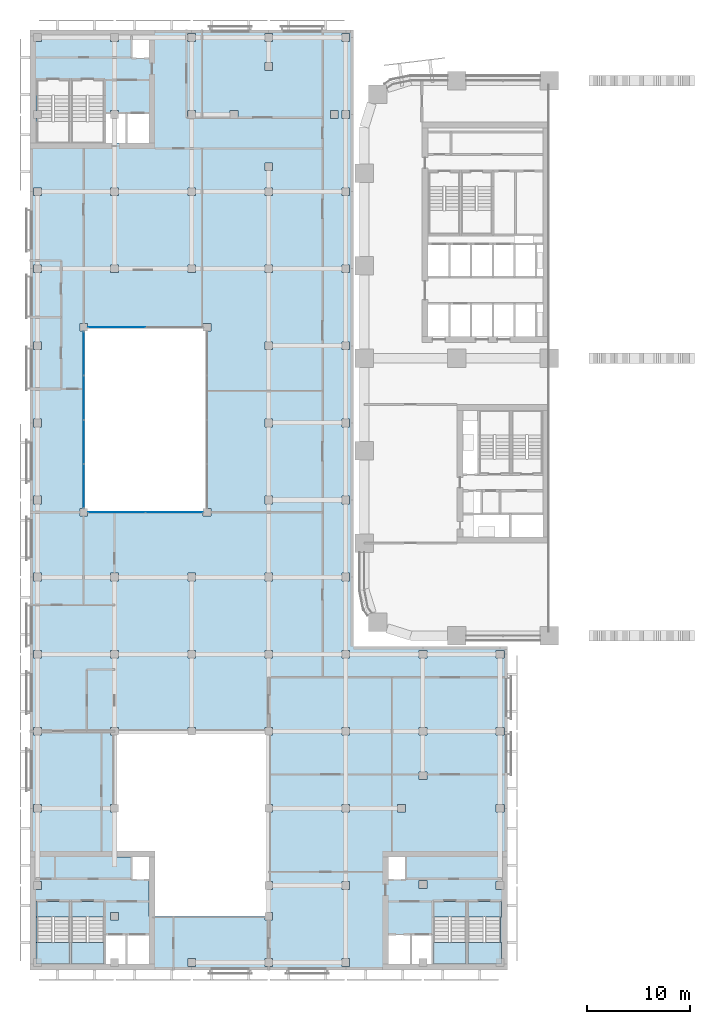
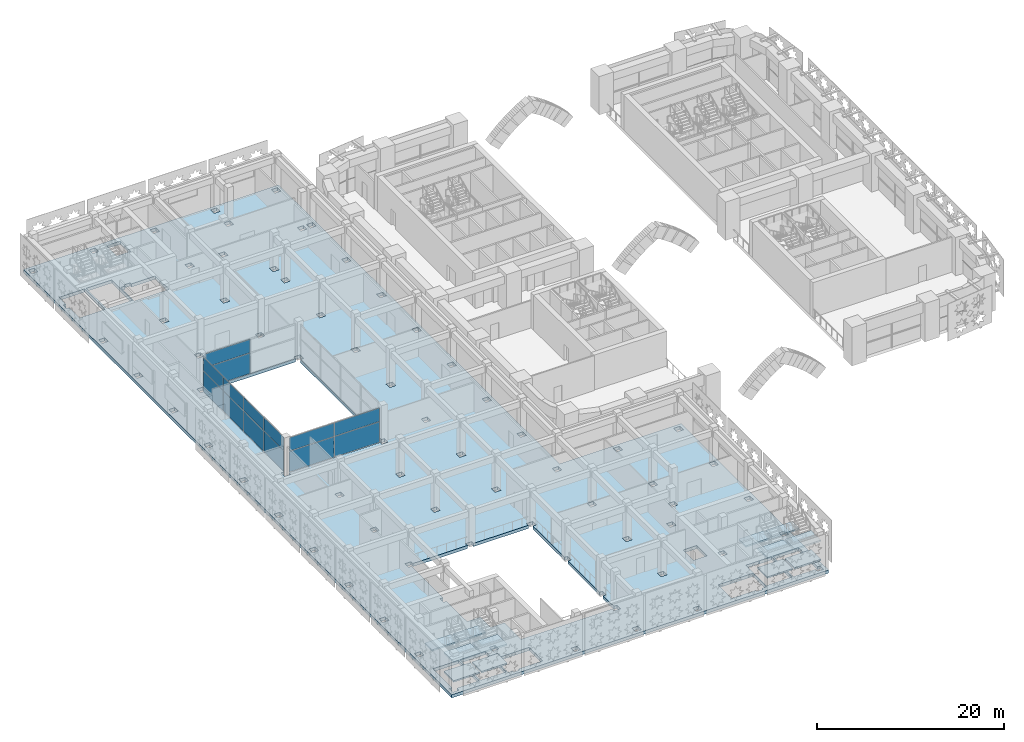
# One storey, part 10 of 40: 14 plates, 13 slabs, 7 elements without a shape of their own.
"""IFC4 building model written with IfcOpenShell, lengths in metres."""

import ifcopenshell
import ifcopenshell.guid

model = None  # the IFC model being written
_history = None  # IfcOwnerHistory: only IFC2X3 demands one
_inside = {}  # id of a spatial element -> (the spatial element, [elements in it])
_under = {}  # id of a project, library or spatial element -> (it, [spatial elements below it])
_declared = {}  # id of a project -> (the project, [libraries it declares])
_typed = {}  # id of a type object -> (the type object, [elements of that type])
_made_of = {}  # id of a material, layer set ... -> (it, [elements and type objects made of it])


def new_model(schema):
    """Start an empty IFC model of exactly this schema.

    Asked for "IFC4X3", IfcOpenShell would pick the latest addendum, in which some entities
    have other attributes; the version numbers below select the first issue.
    IFC2X3 requires an IfcOwnerHistory on every rooted entity: one is made here for all.
    """
    global model, _history
    if schema == "IFC4X3":
        model = ifcopenshell.file(schema_version=(4, 3, 0, 0))
    else:
        model = ifcopenshell.file(schema=schema)
    _inside.clear()
    _under.clear()
    _declared.clear()
    _typed.clear()
    _made_of.clear()
    _history = None
    if model.schema == "IFC2X3":
        org = make("IfcOrganization", Name="unknown")
        user = make(
            "IfcPersonAndOrganization",
            ThePerson=make("IfcPerson", FamilyName="unknown"),
            TheOrganization=org,
        )
        app = make(
            "IfcApplication",
            ApplicationDeveloper=org,
            Version="unknown",
            ApplicationFullName="unknown",
            ApplicationIdentifier="unknown",
        )
        _history = make(
            "IfcOwnerHistory",
            OwningUser=user,
            OwningApplication=app,
            ChangeAction="ADDED",
            CreationDate=0,
        )
    return model


def make(cls, **values):
    """One entity of the class cls with the attributes given. An attribute that is None is left unset."""
    return model.create_entity(
        cls, **{name: value for name, value in values.items() if value is not None}
    )


def rooted(cls, **values):
    """An entity with a GlobalId (a new one), such as an element, a storey or a relation."""
    return make(cls, GlobalId=ifcopenshell.guid.new(), OwnerHistory=_history, **values)


def si_unit(unit_type, name, prefix=None):
    """IfcSIUnit, for example si_unit("LENGTHUNIT", "METRE", prefix="MILLI")."""
    return make("IfcSIUnit", UnitType=unit_type, Prefix=prefix, Name=name)


def assignment(units):
    """IfcUnitAssignment: the units of a project."""
    return None if units is None else make("IfcUnitAssignment", Units=units)


def point(xyz):
    """IfcCartesianPoint."""
    return None if xyz is None else make("IfcCartesianPoint", Coordinates=xyz)


def direction(xyz):
    """IfcDirection."""
    return None if xyz is None else make("IfcDirection", DirectionRatios=xyz)


def frame(location, z_axis=None, x_axis=None):
    """IfcAxis2Placement3D, a coordinate frame: its origin and axes. An axis left out is left unset."""
    return make(
        "IfcAxis2Placement3D",
        Location=point(location),
        Axis=direction(z_axis),
        RefDirection=direction(x_axis),
    )


def frame_2d(location, x_axis=None):
    """IfcAxis2Placement2D, a coordinate frame in the plane: its origin and x axis."""
    return make(
        "IfcAxis2Placement2D", Location=point(location), RefDirection=direction(x_axis)
    )


def origin():
    """The frame at (0, 0, 0) with its axes left unset."""
    return frame((0.0, 0.0, 0.0))


def origin_2d():
    """The frame at (0, 0) in the plane with its x axis left unset."""
    return frame_2d((0.0, 0.0))


def place(relative_to, where):
    """IfcLocalPlacement: puts the frame where relative to a parent placement (None: the world)."""
    return make(
        "IfcLocalPlacement", PlacementRelTo=relative_to, RelativePlacement=where
    )


def context(
    kind, dimensions, precision=None, world=None, true_north=None, identifier=None
):
    """IfcGeometricRepresentationContext, for example the 3D "Model" context."""
    return make(
        "IfcGeometricRepresentationContext",
        ContextIdentifier=identifier,
        ContextType=kind,
        CoordinateSpaceDimension=dimensions,
        Precision=precision,
        WorldCoordinateSystem=world,
        TrueNorth=true_north,
    )


def subcontext(parent, identifier, kind, view, scale=None):
    """IfcGeometricRepresentationSubContext, for example "Body" below "Model"."""
    return make(
        "IfcGeometricRepresentationSubContext",
        ContextIdentifier=identifier,
        ContextType=kind,
        ParentContext=parent,
        TargetScale=scale,
        TargetView=view,
    )


def project(units=None, contexts=None):
    """IfcProject with its units and contexts."""
    return rooted(
        "IfcProject",
        Name="project",
        RepresentationContexts=contexts,
        UnitsInContext=assignment(units),
    )


def spatial(cls, under=None, at=None, **own):
    """A site, building, storey or space (cls), placed at a placement, below another one or the project."""
    s = rooted(cls, ObjectPlacement=at, **own)
    if under is not None:
        _under.setdefault(under.id(), (under, []))[1].append(s)
    return s


def polyline(points):
    """IfcPolyline through the points."""
    return make("IfcPolyline", Points=[point(p) for p in points])


def profile(cls, at=None, kind="AREA", **sizes):
    """A parametric profile (cls). Its sizes go by their IFC names, for example OverallWidth=200.0."""
    return make(cls, ProfileType=kind, Position=at, **sizes)


def rectangle(**sizes):
    """IfcRectangleProfileDef."""
    return profile("IfcRectangleProfileDef", **sizes)


def outline(outer, holes=None, kind="AREA"):
    """IfcArbitraryClosedProfileDef: a profile drawn as a closed curve; with holes, ...WithVoids."""
    if holes is None:
        return make("IfcArbitraryClosedProfileDef", ProfileType=kind, OuterCurve=outer)
    return make(
        "IfcArbitraryProfileDefWithVoids",
        ProfileType=kind,
        OuterCurve=outer,
        InnerCurves=holes,
    )


def extrude(swept, where, along, depth):
    """IfcExtrudedAreaSolid: the profile swept, set in the frame where, extruded along a direction by depth."""
    return make(
        "IfcExtrudedAreaSolid",
        SweptArea=swept,
        Position=where,
        ExtrudedDirection=direction(along),
        Depth=depth,
    )


def shape(context_of_items, identifier, shape_type, items):
    """IfcShapeRepresentation: the items that make up one representation, for example the "Body"."""
    return make(
        "IfcShapeRepresentation",
        ContextOfItems=context_of_items,
        RepresentationIdentifier=identifier,
        RepresentationType=shape_type,
        Items=items,
    )


def material(Name=None, Category=None):
    """IfcMaterial."""
    return make("IfcMaterial", Name=Name, Category=Category)


def layer(
    of_material, thickness, ventilated=None, Name=None, Category=None, Priority=None
):
    """IfcMaterialLayer: one layer of a wall or slab, of a material (None: an air gap)."""
    return make(
        "IfcMaterialLayer",
        Material=of_material,
        LayerThickness=thickness,
        IsVentilated=ventilated,
        Name=Name,
        Category=Category,
        Priority=Priority,
    )


def layer_set(layers, Name=None):
    """IfcMaterialLayerSet."""
    return make("IfcMaterialLayerSet", MaterialLayers=layers, LayerSetName=Name)


def made_of(thing, what):
    """Note that an element or type object is made of a material, layer set ...; save() writes the relation."""
    if what is not None:
        _made_of.setdefault(what.id(), (what, []))[1].append(thing)
    return thing


def type_object(cls, material=None, **own):
    """A type object (cls), such as IfcWallType, which elements share."""
    return made_of(rooted(cls, **own), material)


def element(
    cls,
    number,
    at=None,
    inside=None,
    cuts=None,
    type_object=None,
    material=None,
    context=None,
    identifier="Body",
    shape_type=None,
    held_by="IfcProductDefinitionShape",
    body=None,
    shapes=None,
    **own,
):
    """One element of the class cls, such as IfcWall. Its Tag is "e" and its number.

    at: its placement. inside: the storey or other place that contains it. cuts: it is an
    opening in that element (IfcRelVoidsElement). A single representation is given by context,
    identifier, shape_type and body (its items); several are given by shapes. held_by: the class
    of the entity that holds the representations. save() writes the other relations.
    """
    e = rooted(cls, Tag="e%d" % number, ObjectPlacement=at, **own)
    if body is not None:
        shapes = [shape(context, identifier, shape_type, body)]
    if shapes is not None:
        e.Representation = make(held_by, Representations=shapes)
    if inside is not None:
        _inside.setdefault(inside.id(), (inside, []))[1].append(e)
    if cuts is not None:
        rooted(
            "IfcRelVoidsElement", RelatingBuildingElement=cuts, RelatedOpeningElement=e
        )
    if type_object is not None:
        _typed.setdefault(type_object.id(), (type_object, []))[1].append(e)
    return made_of(e, material)


def aggregate(whole, parts):
    """IfcRelAggregates: a whole, such as a stair, and the parts it consists of."""
    return rooted("IfcRelAggregates", RelatingObject=whole, RelatedObjects=parts)


def save(model, path):
    """Write the relations noted so far, then the file.

    IfcRelAggregates (storeys below a building ...), IfcRelContainedInSpatialStructure (elements
    in a storey), IfcRelDefinesByType, IfcRelAssociatesMaterial and IfcRelDeclares: one each for
    every whole, place, type object, material and project.
    """
    for whole, parts in _under.values():
        aggregate(whole, parts)
    for where, things in _inside.values():
        rooted(
            "IfcRelContainedInSpatialStructure",
            RelatedElements=things,
            RelatingStructure=where,
        )
    for kind, things in _typed.values():
        rooted("IfcRelDefinesByType", RelatedObjects=things, RelatingType=kind)
    for what, things in _made_of.values():
        rooted("IfcRelAssociatesMaterial", RelatedObjects=things, RelatingMaterial=what)
    for by, libraries in _declared.values():
        rooted("IfcRelDeclares", RelatingContext=by, RelatedDefinitions=libraries)
    model.write(path)


model = new_model("IFC4")

# Units and contexts
model_context = context("Model", 3, precision=1e-05, world=origin(), true_north=direction((0.0, 1.0)))
body_context = subcontext(model_context, "Body", "Model", "MODEL_VIEW")
ifc_project = project(units=[si_unit("LENGTHUNIT", "METRE"), si_unit("AREAUNIT", "SQUARE_METRE"), si_unit("VOLUMEUNIT", "CUBIC_METRE"), si_unit("PLANEANGLEUNIT", "RADIAN"), si_unit("MASSUNIT", "GRAM", prefix="KILO")], contexts=[model_context])

# Site, building, storey
site_placement = place(None, origin())
site = spatial("IfcSite", under=ifc_project, at=site_placement, CompositionType="ELEMENT")
building_placement = place(site_placement, origin())
building = spatial("IfcBuilding", under=site, at=building_placement, Name="Tessera Arch", CompositionType="ELEMENT")
storey_placement = place(building_placement, frame((0.0, 0.0, 21.0)))
storey = spatial("IfcBuildingStorey", under=building, at=storey_placement, Name="L03", CompositionType="ELEMENT", Elevation=21.0)

# Curtain wall, plates
ifc_material_1 = material(Name="Aluminium and clear glass", Category="aluminium")
ifc_layer_1 = layer(ifc_material_1, 0.1201171875)
ifc_layer_set_1 = layer_set([ifc_layer_1], Name="Courtyard curtain wall")
curtain_wall_type = type_object("IfcCurtainWallType", Name="Courtyard curtain wall", PredefinedType="NOTDEFINED", material=ifc_layer_set_1)
curtain_wall_1_placement = place(storey_placement, origin())
curtain_wall_1 = element("IfcCurtainWall", 1, at=curtain_wall_1_placement, inside=storey, type_object=curtain_wall_type, Name="Courtyard curtain wall L03 1", PredefinedType="NOTDEFINED")
ifc_material_2 = material(Name="Clear low-e laminated glass", Category="glass")
ifc_layer_2 = layer(ifc_material_2, 0.028076171875)
ifc_layer_set_2 = layer_set([ifc_layer_2], Name="Courtyard glass panel")
plate_type = type_object("IfcPlateType", Name="Courtyard glass panel", PredefinedType="CURTAIN_PANEL", material=ifc_layer_set_2)
plate_1_placement = place(storey_placement, frame((-24.097412109375, 12.0, 0.06005859375), z_axis=(0.0, 0.0, 1.0), x_axis=(1.0, 0.0, 0.0)))
plate_1 = element("IfcPlate", 2, at=plate_1_placement, type_object=plate_type, Name="MCW1 panel 1.1", PredefinedType="CURTAIN_PANEL", context=body_context, shape_type="SweptSolid", body=[
    extrude(rectangle(XDim=5.534912109375, YDim=0.028076171875, at=origin_2d()), origin(), (0.0, 0.0, 1.0), 2.6640625),
])
plate_2_placement = place(storey_placement, frame((-24.097412109375, 12.0, 2.783935546875), z_axis=(0.0, 0.0, 1.0), x_axis=(1.0, 0.0, 0.0)))
plate_2 = element("IfcPlate", 3, at=plate_2_placement, type_object=plate_type, Name="MCW1 panel 1.2", PredefinedType="CURTAIN_PANEL", context=body_context, shape_type="SweptSolid", body=[
    extrude(rectangle(XDim=5.534912109375, YDim=0.028076171875, at=origin_2d()), origin(), (0.0, 0.0, 1.0), 1.74609375),
])
plate_3_placement = place(storey_placement, frame((-18.50244140625, 12.0, 0.06005859375), z_axis=(0.0, 0.0, 1.0), x_axis=(1.0, 0.0, 0.0)))
plate_3 = element("IfcPlate", 4, at=plate_3_placement, type_object=plate_type, Name="MCW1 panel 2.1", PredefinedType="CURTAIN_PANEL", context=body_context, shape_type="SweptSolid", body=[
    extrude(rectangle(XDim=5.534912109375, YDim=0.028076171875, at=origin_2d()), origin(), (0.0, 0.0, 1.0), 2.6640625),
])
plate_4_placement = place(storey_placement, frame((-18.50244140625, 12.0, 2.783935546875), z_axis=(0.0, 0.0, 1.0), x_axis=(1.0, 0.0, 0.0)))
plate_4 = element("IfcPlate", 5, at=plate_4_placement, type_object=plate_type, Name="MCW1 panel 2.2", PredefinedType="CURTAIN_PANEL", context=body_context, shape_type="SweptSolid", body=[
    extrude(rectangle(XDim=5.534912109375, YDim=0.028076171875, at=origin_2d()), origin(), (0.0, 0.0, 1.0), 1.74609375),
])
aggregate(curtain_wall_1, [plate_1, plate_2, plate_3, plate_4])

curtain_wall_2_placement = place(storey_placement, origin())
curtain_wall_2 = element("IfcCurtainWall", 6, at=curtain_wall_2_placement, inside=storey, type_object=curtain_wall_type, Name="Courtyard curtain wall L03 3", PredefinedType="NOTDEFINED")
plate_5_placement = place(storey_placement, frame((-24.097412109375, 30.0, 0.06005859375), z_axis=(0.0, 0.0, 1.0), x_axis=(-1.0, 0.0, 0.0)))
plate_5 = element("IfcPlate", 7, at=plate_5_placement, type_object=plate_type, Name="MCW1 panel 2.1", PredefinedType="CURTAIN_PANEL", context=body_context, shape_type="SweptSolid", body=[
    extrude(rectangle(XDim=5.534912109375, YDim=0.028076171875, at=origin_2d()), origin(), (0.0, 0.0, 1.0), 2.6640625),
])
plate_6_placement = place(storey_placement, frame((-24.097412109375, 30.0, 2.783935546875), z_axis=(0.0, 0.0, 1.0), x_axis=(-1.0, 0.0, 0.0)))
plate_6 = element("IfcPlate", 8, at=plate_6_placement, type_object=plate_type, Name="MCW1 panel 2.2", PredefinedType="CURTAIN_PANEL", context=body_context, shape_type="SweptSolid", body=[
    extrude(rectangle(XDim=5.534912109375, YDim=0.028076171875, at=origin_2d()), origin(), (0.0, 0.0, 1.0), 1.74609375),
])
aggregate(curtain_wall_2, [plate_5, plate_6])

curtain_wall_3_placement = place(storey_placement, origin())
curtain_wall_3 = element("IfcCurtainWall", 9, at=curtain_wall_3_placement, inside=storey, type_object=curtain_wall_type, Name="Courtyard curtain wall L03 4", PredefinedType="NOTDEFINED")
plate_7_placement = place(storey_placement, frame((-27.300048828125, 27.453857421875, 0.06005859375), z_axis=(0.0, 0.0, 1.0), x_axis=(0.0, -1.0, 0.0)))
plate_7 = element("IfcPlate", 10, at=plate_7_placement, type_object=plate_type, Name="MCW1 panel 1.1", PredefinedType="CURTAIN_PANEL", context=body_context, shape_type="SweptSolid", body=[
    extrude(rectangle(XDim=4.222412109375, YDim=0.028076171875, at=origin_2d()), origin(), (0.0, 0.0, 1.0), 2.6640625),
])
plate_8_placement = place(storey_placement, frame((-27.300048828125, 27.453857421875, 2.783935546875), z_axis=(0.0, 0.0, 1.0), x_axis=(0.0, -1.0, 0.0)))
plate_8 = element("IfcPlate", 11, at=plate_8_placement, type_object=plate_type, Name="MCW1 panel 1.2", PredefinedType="CURTAIN_PANEL", context=body_context, shape_type="SweptSolid", body=[
    extrude(rectangle(XDim=4.222412109375, YDim=0.028076171875, at=origin_2d()), origin(), (0.0, 0.0, 1.0), 1.74609375),
])
plate_9_placement = place(storey_placement, frame((-27.300048828125, 23.15625, 0.06005859375), z_axis=(0.0, 0.0, 1.0), x_axis=(0.0, -1.0, 0.0)))
plate_9 = element("IfcPlate", 12, at=plate_9_placement, type_object=plate_type, Name="MCW1 panel 2.1", PredefinedType="CURTAIN_PANEL", context=body_context, shape_type="SweptSolid", body=[
    extrude(rectangle(XDim=4.25244140625, YDim=0.028076171875, at=origin_2d()), origin(), (0.0, 0.0, 1.0), 2.6640625),
])
plate_10_placement = place(storey_placement, frame((-27.300048828125, 23.15625, 2.783935546875), z_axis=(0.0, 0.0, 1.0), x_axis=(0.0, -1.0, 0.0)))
plate_10 = element("IfcPlate", 13, at=plate_10_placement, type_object=plate_type, Name="MCW1 panel 2.2", PredefinedType="CURTAIN_PANEL", context=body_context, shape_type="SweptSolid", body=[
    extrude(rectangle(XDim=4.25244140625, YDim=0.028076171875, at=origin_2d()), origin(), (0.0, 0.0, 1.0), 1.74609375),
])
plate_11_placement = place(storey_placement, frame((-27.300048828125, 18.84375, 0.06005859375), z_axis=(0.0, 0.0, 1.0), x_axis=(0.0, -1.0, 0.0)))
plate_11 = element("IfcPlate", 14, at=plate_11_placement, type_object=plate_type, Name="MCW1 panel 3.1", PredefinedType="CURTAIN_PANEL", context=body_context, shape_type="SweptSolid", body=[
    extrude(rectangle(XDim=4.25244140625, YDim=0.028076171875, at=origin_2d()), origin(), (0.0, 0.0, 1.0), 2.6640625),
])
plate_12_placement = place(storey_placement, frame((-27.300048828125, 18.84375, 2.783935546875), z_axis=(0.0, 0.0, 1.0), x_axis=(0.0, -1.0, 0.0)))
plate_12 = element("IfcPlate", 15, at=plate_12_placement, type_object=plate_type, Name="MCW1 panel 3.2", PredefinedType="CURTAIN_PANEL", context=body_context, shape_type="SweptSolid", body=[
    extrude(rectangle(XDim=4.25244140625, YDim=0.028076171875, at=origin_2d()), origin(), (0.0, 0.0, 1.0), 1.74609375),
])
plate_13_placement = place(storey_placement, frame((-27.300048828125, 14.546142578125, 0.06005859375), z_axis=(0.0, 0.0, 1.0), x_axis=(0.0, -1.0, 0.0)))
plate_13 = element("IfcPlate", 16, at=plate_13_placement, type_object=plate_type, Name="MCW1 panel 4.1", PredefinedType="CURTAIN_PANEL", context=body_context, shape_type="SweptSolid", body=[
    extrude(rectangle(XDim=4.222412109375, YDim=0.028076171875, at=origin_2d()), origin(), (0.0, 0.0, 1.0), 2.6640625),
])
plate_14_placement = place(storey_placement, frame((-27.300048828125, 14.546142578125, 2.783935546875), z_axis=(0.0, 0.0, 1.0), x_axis=(0.0, -1.0, 0.0)))
plate_14 = element("IfcPlate", 17, at=plate_14_placement, type_object=plate_type, Name="MCW1 panel 4.2", PredefinedType="CURTAIN_PANEL", context=body_context, shape_type="SweptSolid", body=[
    extrude(rectangle(XDim=4.222412109375, YDim=0.028076171875, at=origin_2d()), origin(), (0.0, 0.0, 1.0), 1.74609375),
])
aggregate(curtain_wall_3, [plate_7, plate_8, plate_9, plate_10, plate_11, plate_12, plate_13, plate_14])

# Slab
ifc_material_3 = material(Name="Concrete C40/50", Category="concrete")
ifc_layer_3 = layer(ifc_material_3, 0.409912109375)
ifc_layer_set_3 = layer_set([ifc_layer_3], Name="Museum floor slab 410 Concrete C40/50")
slab_type_1 = type_object("IfcSlabType", Name="Museum floor slab 410 Concrete C40/50", PredefinedType="FLOOR", material=ifc_layer_set_3)
slab_1_placement = place(storey_placement, frame((0.0, 0.0, -0.409912109375)))
element("IfcSlab", 18, at=slab_1_placement, inside=storey, type_object=slab_type_1, Name="Museum floor slab L03 1", PredefinedType="FLOOR", context=body_context, shape_type="SweptSolid", body=[
    extrude(outline(polyline([(13.949951171875, -32.550048828125), (-32.550048828125, -32.550048828125), (-32.550048828125, 58.949951171875), (-1.050048828125, 58.949951171875), (-1.050048828125, -1.050048828125), (13.949951171875, -1.050048828125), (13.949951171875, -32.550048828125)]), holes=[polyline([(-15.675048828125, 11.625), (-14.925048828125, 11.625), (-14.925048828125, 12.375), (-15.300048828125, 12.375), (-15.300048828125, 29.625), (-14.925048828125, 29.625), (-14.925048828125, 30.375), (-15.675048828125, 30.375), (-15.675048828125, 30.0), (-26.925048828125, 30.0), (-26.925048828125, 30.375), (-27.675048828125, 30.375), (-27.675048828125, 29.625), (-27.300048828125, 29.625), (-27.300048828125, 12.375), (-27.675048828125, 12.375), (-27.675048828125, 11.625), (-26.925048828125, 11.625), (-26.925048828125, 12.0), (-15.675048828125, 12.0), (-15.675048828125, 11.625)]), polyline([(-24.675048828125, -16.425048828125), (-24.675048828125, -17.175048828125), (-24.300048828125, -17.175048828125), (-24.300048828125, -21.550048828125), (-22.64990234375, -21.550048828125), (-22.64990234375, -23.75), (-20.949951171875, -23.75), (-20.949951171875, -27.300048828125), (-9.675048828125, -27.300048828125), (-9.675048828125, -27.675048828125), (-8.925048828125, -27.675048828125), (-8.925048828125, -26.925048828125), (-9.300048828125, -26.925048828125), (-9.300048828125, -24.675048828125), (-8.925048828125, -24.675048828125), (-8.925048828125, -23.925048828125), (-9.300048828125, -23.925048828125), (-9.300048828125, -17.175048828125), (-8.925048828125, -17.175048828125), (-8.925048828125, -16.425048828125), (-9.300048828125, -16.425048828125), (-9.300048828125, -9.675048828125), (-8.925048828125, -9.675048828125), (-8.925048828125, -8.925048828125), (-9.675048828125, -8.925048828125), (-9.675048828125, -9.300048828125), (-16.425048828125, -9.300048828125), (-16.425048828125, -8.925048828125), (-17.175048828125, -8.925048828125), (-17.175048828125, -9.300048828125), (-23.925048828125, -9.300048828125), (-23.925048828125, -8.925048828125), (-24.675048828125, -8.925048828125), (-24.675048828125, -9.675048828125), (-24.300048828125, -9.675048828125), (-24.300048828125, -16.425048828125), (-24.675048828125, -16.425048828125)]), polyline([(-31.425048828125, -32.175048828125), (-31.425048828125, -31.75), (-28.699951171875, -31.75), (-28.699951171875, -27.360107421875), (-30.199951171875, -27.360107421875), (-30.199951171875, -27.35009765625), (-30.35009765625, -27.35009765625), (-30.35009765625, -27.360107421875), (-31.85009765625, -27.360107421875), (-31.85009765625, -31.425048828125), (-32.175048828125, -31.425048828125), (-32.175048828125, -32.175048828125), (-31.425048828125, -32.175048828125)]), polyline([(-16.425048828125, -32.175048828125), (-16.425048828125, -31.425048828125), (-17.175048828125, -31.425048828125), (-17.175048828125, -32.175048828125), (-16.425048828125, -32.175048828125)]), polyline([(-23.925048828125, -32.175048828125), (-23.925048828125, -31.949951171875), (-23.14990234375, -31.949951171875), (-20.949951171875, -31.949951171875), (-20.949951171875, -29.050048828125), (-23.14990234375, -29.050048828125), (-25.25, -29.050048828125), (-25.25, -31.949951171875), (-24.675048828125, -31.949951171875), (-24.675048828125, -32.175048828125), (-23.925048828125, -32.175048828125)]), polyline([(-23.925048828125, -27.675048828125), (-23.925048828125, -26.925048828125), (-24.675048828125, -26.925048828125), (-24.675048828125, -27.675048828125), (-23.925048828125, -27.675048828125)]), polyline([(-31.425048828125, -24.675048828125), (-31.425048828125, -23.925048828125), (-32.175048828125, -23.925048828125), (-32.175048828125, -24.675048828125), (-31.425048828125, -24.675048828125)]), polyline([(-31.425048828125, -17.175048828125), (-31.425048828125, -16.425048828125), (-32.175048828125, -16.425048828125), (-32.175048828125, -17.175048828125), (-31.425048828125, -17.175048828125)]), polyline([(-32.175048828125, -9.675048828125), (-31.425048828125, -9.675048828125), (-31.425048828125, -8.925048828125), (-32.175048828125, -8.925048828125), (-32.175048828125, -9.675048828125)]), polyline([(-23.925048828125, -2.175048828125), (-23.925048828125, -1.425048828125), (-24.675048828125, -1.425048828125), (-24.675048828125, -2.175048828125), (-23.925048828125, -2.175048828125)]), polyline([(-31.425048828125, -2.175048828125), (-31.425048828125, -1.425048828125), (-32.175048828125, -1.425048828125), (-32.175048828125, -2.175048828125), (-31.425048828125, -2.175048828125)]), polyline([(-31.425048828125, 5.324951171875), (-31.425048828125, 6.074951171875), (-32.175048828125, 6.074951171875), (-32.175048828125, 5.324951171875), (-31.425048828125, 5.324951171875)]), polyline([(-24.675048828125, 5.324951171875), (-23.925048828125, 5.324951171875), (-23.925048828125, 6.074951171875), (-24.675048828125, 6.074951171875), (-24.675048828125, 5.324951171875)]), polyline([(-31.425048828125, 12.824951171875), (-31.425048828125, 13.574951171875), (-32.175048828125, 13.574951171875), (-32.175048828125, 12.824951171875), (-31.425048828125, 12.824951171875)]), polyline([(-31.425048828125, 20.324951171875), (-31.425048828125, 21.074951171875), (-32.175048828125, 21.074951171875), (-32.175048828125, 20.324951171875), (-31.425048828125, 20.324951171875)]), polyline([(-31.425048828125, 27.824951171875), (-31.425048828125, 28.574951171875), (-32.175048828125, 28.574951171875), (-32.175048828125, 27.824951171875), (-31.425048828125, 27.824951171875)]), polyline([(-24.675048828125, 35.324951171875), (-23.925048828125, 35.324951171875), (-23.925048828125, 36.074951171875), (-24.675048828125, 36.074951171875), (-24.675048828125, 35.324951171875)]), polyline([(-31.425048828125, 35.324951171875), (-31.425048828125, 36.074951171875), (-32.175048828125, 36.074951171875), (-32.175048828125, 35.324951171875), (-31.425048828125, 35.324951171875)]), polyline([(-23.925048828125, 42.824951171875), (-23.925048828125, 43.574951171875), (-24.675048828125, 43.574951171875), (-24.675048828125, 42.824951171875), (-23.925048828125, 42.824951171875)]), polyline([(-31.425048828125, 42.824951171875), (-31.425048828125, 43.574951171875), (-32.175048828125, 43.574951171875), (-32.175048828125, 42.824951171875), (-31.425048828125, 42.824951171875)]), polyline([(-23.925048828125, 51.074951171875), (-24.675048828125, 51.074951171875), (-24.675048828125, 50.85009765625), (-25.25, 50.85009765625), (-25.25, 47.949951171875), (-23.14990234375, 47.949951171875), (-20.949951171875, 47.949951171875), (-20.949951171875, 50.85009765625), (-23.14990234375, 50.85009765625), (-23.925048828125, 50.85009765625), (-23.925048828125, 51.074951171875)]), polyline([(-31.85009765625, 50.324951171875), (-31.85009765625, 48.14990234375), (-28.699951171875, 48.14990234375), (-28.699951171875, 52.5400390625), (-30.199951171875, 52.5400390625), (-30.199951171875, 52.550048828125), (-30.35009765625, 52.550048828125), (-30.35009765625, 52.5400390625), (-31.85009765625, 52.5400390625), (-31.85009765625, 51.074951171875), (-32.175048828125, 51.074951171875), (-32.175048828125, 50.324951171875), (-31.85009765625, 50.324951171875)]), polyline([(-23.925048828125, 57.824951171875), (-23.925048828125, 58.574951171875), (-24.675048828125, 58.574951171875), (-24.675048828125, 57.824951171875), (-23.925048828125, 57.824951171875)]), polyline([(-31.425048828125, 57.824951171875), (-31.425048828125, 58.574951171875), (-32.175048828125, 58.574951171875), (-32.175048828125, 57.824951171875), (-31.425048828125, 57.824951171875)]), polyline([(-9.675048828125, -32.175048828125), (-8.925048828125, -32.175048828125), (-8.925048828125, -31.425048828125), (-9.675048828125, -31.425048828125), (-9.675048828125, -32.175048828125)]), polyline([(-9.675048828125, -2.175048828125), (-8.925048828125, -2.175048828125), (-8.925048828125, -1.425048828125), (-9.675048828125, -1.425048828125), (-9.675048828125, -2.175048828125)]), polyline([(-16.425048828125, -2.175048828125), (-16.425048828125, -1.425048828125), (-17.175048828125, -1.425048828125), (-17.175048828125, -2.175048828125), (-16.425048828125, -2.175048828125)]), polyline([(-16.425048828125, 5.324951171875), (-16.425048828125, 6.074951171875), (-17.175048828125, 6.074951171875), (-17.175048828125, 5.324951171875), (-16.425048828125, 5.324951171875)]), polyline([(-8.925048828125, 5.324951171875), (-8.925048828125, 6.074951171875), (-9.675048828125, 6.074951171875), (-9.675048828125, 5.324951171875), (-8.925048828125, 5.324951171875)]), polyline([(-9.675048828125, 12.824951171875), (-8.925048828125, 12.824951171875), (-8.925048828125, 13.574951171875), (-9.675048828125, 13.574951171875), (-9.675048828125, 12.824951171875)]), polyline([(-8.925048828125, 20.324951171875), (-8.925048828125, 21.074951171875), (-9.675048828125, 21.074951171875), (-9.675048828125, 20.324951171875), (-8.925048828125, 20.324951171875)]), polyline([(-8.925048828125, 27.824951171875), (-8.925048828125, 28.574951171875), (-9.675048828125, 28.574951171875), (-9.675048828125, 27.824951171875), (-8.925048828125, 27.824951171875)]), polyline([(-16.425048828125, 35.324951171875), (-16.425048828125, 36.074951171875), (-17.175048828125, 36.074951171875), (-17.175048828125, 35.324951171875), (-16.425048828125, 35.324951171875)]), polyline([(-8.925048828125, 35.324951171875), (-8.925048828125, 36.074951171875), (-9.675048828125, 36.074951171875), (-9.675048828125, 35.324951171875), (-8.925048828125, 35.324951171875)]), polyline([(-8.925048828125, 42.824951171875), (-8.925048828125, 43.574951171875), (-9.675048828125, 43.574951171875), (-9.675048828125, 42.824951171875), (-8.925048828125, 42.824951171875)]), polyline([(-16.425048828125, 42.824951171875), (-16.425048828125, 43.574951171875), (-17.175048828125, 43.574951171875), (-17.175048828125, 42.824951171875), (-16.425048828125, 42.824951171875)]), polyline([(-9.675048828125, 45.25), (-8.925048828125, 45.25), (-8.925048828125, 46.0), (-9.675048828125, 46.0), (-9.675048828125, 45.25)]), polyline([(-13.050048828125, 50.324951171875), (-12.300048828125, 50.324951171875), (-12.300048828125, 51.074951171875), (-13.050048828125, 51.074951171875), (-13.050048828125, 50.324951171875)]), polyline([(-16.425048828125, 50.324951171875), (-16.425048828125, 51.074951171875), (-17.175048828125, 51.074951171875), (-17.175048828125, 50.324951171875), (-16.425048828125, 50.324951171875)]), polyline([(-2.550048828125, 50.324951171875), (-2.550048828125, 51.074951171875), (-3.300048828125, 51.074951171875), (-3.300048828125, 50.324951171875), (-2.550048828125, 50.324951171875)]), polyline([(-8.925048828125, 55.0), (-8.925048828125, 55.75), (-9.675048828125, 55.75), (-9.675048828125, 55.0), (-8.925048828125, 55.0)]), polyline([(-9.675048828125, 57.824951171875), (-8.925048828125, 57.824951171875), (-8.925048828125, 58.574951171875), (-9.675048828125, 58.574951171875), (-9.675048828125, 57.824951171875)]), polyline([(-17.175048828125, 57.824951171875), (-16.425048828125, 57.824951171875), (-16.425048828125, 58.574951171875), (-17.175048828125, 58.574951171875), (-17.175048828125, 57.824951171875)]), polyline([(-1.425048828125, -32.175048828125), (-1.425048828125, -31.425048828125), (-2.175048828125, -31.425048828125), (-2.175048828125, -32.175048828125), (-1.425048828125, -32.175048828125)]), polyline([(13.574951171875, -32.175048828125), (13.574951171875, -31.425048828125), (13.25, -31.425048828125), (13.25, -27.360107421875), (11.75, -27.360107421875), (11.75, -27.35009765625), (11.60009765625, -27.35009765625), (11.60009765625, -27.360107421875), (10.10009765625, -27.360107421875), (10.10009765625, -31.75), (12.824951171875, -31.75), (12.824951171875, -32.175048828125), (13.574951171875, -32.175048828125)]), polyline([(6.074951171875, -32.175048828125), (6.074951171875, -31.949951171875), (6.64990234375, -31.949951171875), (6.64990234375, -29.050048828125), (4.550048828125, -29.050048828125), (2.35009765625, -29.050048828125), (2.35009765625, -31.949951171875), (4.550048828125, -31.949951171875), (5.324951171875, -31.949951171875), (5.324951171875, -32.175048828125), (6.074951171875, -32.175048828125)]), polyline([(12.824951171875, -24.675048828125), (13.574951171875, -24.675048828125), (13.574951171875, -23.925048828125), (12.824951171875, -23.925048828125), (12.824951171875, -24.675048828125)]), polyline([(-2.175048828125, -24.675048828125), (-1.425048828125, -24.675048828125), (-1.425048828125, -23.925048828125), (-2.175048828125, -23.925048828125), (-2.175048828125, -24.675048828125)]), polyline([(6.074951171875, -24.574951171875), (6.074951171875, -23.824951171875), (5.324951171875, -23.824951171875), (5.324951171875, -24.574951171875), (6.074951171875, -24.574951171875)]), polyline([(-1.425048828125, -17.175048828125), (-1.425048828125, -16.425048828125), (-2.175048828125, -16.425048828125), (-2.175048828125, -17.175048828125), (-1.425048828125, -17.175048828125)]), polyline([(13.574951171875, -17.175048828125), (13.574951171875, -16.425048828125), (12.824951171875, -16.425048828125), (12.824951171875, -17.175048828125), (13.574951171875, -17.175048828125)]), polyline([(4.0, -17.175048828125), (4.0, -16.425048828125), (3.25, -16.425048828125), (3.25, -17.175048828125), (4.0, -17.175048828125)]), polyline([(6.074951171875, -14.0), (6.074951171875, -13.25), (5.324951171875, -13.25), (5.324951171875, -14.0), (6.074951171875, -14.0)]), polyline([(-1.425048828125, -9.675048828125), (-1.425048828125, -8.925048828125), (-2.175048828125, -8.925048828125), (-2.175048828125, -9.675048828125), (-1.425048828125, -9.675048828125)]), polyline([(6.074951171875, -9.675048828125), (6.074951171875, -8.925048828125), (5.324951171875, -8.925048828125), (5.324951171875, -9.675048828125), (6.074951171875, -9.675048828125)]), polyline([(12.824951171875, -9.675048828125), (13.574951171875, -9.675048828125), (13.574951171875, -8.925048828125), (12.824951171875, -8.925048828125), (12.824951171875, -9.675048828125)]), polyline([(-2.175048828125, -2.175048828125), (-1.425048828125, -2.175048828125), (-1.425048828125, -1.425048828125), (-2.175048828125, -1.425048828125), (-2.175048828125, -2.175048828125)]), polyline([(6.074951171875, -2.175048828125), (6.074951171875, -1.425048828125), (5.324951171875, -1.425048828125), (5.324951171875, -2.175048828125), (6.074951171875, -2.175048828125)]), polyline([(13.574951171875, -2.175048828125), (13.574951171875, -1.425048828125), (12.824951171875, -1.425048828125), (12.824951171875, -2.175048828125), (13.574951171875, -2.175048828125)]), polyline([(-1.425048828125, 5.324951171875), (-1.425048828125, 6.074951171875), (-2.175048828125, 6.074951171875), (-2.175048828125, 5.324951171875), (-1.425048828125, 5.324951171875)]), polyline([(-2.175048828125, 12.824951171875), (-1.425048828125, 12.824951171875), (-1.425048828125, 13.574951171875), (-2.175048828125, 13.574951171875), (-2.175048828125, 12.824951171875)]), polyline([(-2.175048828125, 20.324951171875), (-1.425048828125, 20.324951171875), (-1.425048828125, 21.074951171875), (-2.175048828125, 21.074951171875), (-2.175048828125, 20.324951171875)]), polyline([(-1.425048828125, 27.824951171875), (-1.425048828125, 28.574951171875), (-2.175048828125, 28.574951171875), (-2.175048828125, 27.824951171875), (-1.425048828125, 27.824951171875)]), polyline([(-1.425048828125, 35.324951171875), (-1.425048828125, 36.074951171875), (-2.175048828125, 36.074951171875), (-2.175048828125, 35.324951171875), (-1.425048828125, 35.324951171875)]), polyline([(-1.425048828125, 42.824951171875), (-1.425048828125, 43.574951171875), (-2.175048828125, 43.574951171875), (-2.175048828125, 42.824951171875), (-1.425048828125, 42.824951171875)]), polyline([(-2.175048828125, 50.324951171875), (-1.425048828125, 50.324951171875), (-1.425048828125, 51.074951171875), (-2.175048828125, 51.074951171875), (-2.175048828125, 50.324951171875)]), polyline([(-2.175048828125, 57.824951171875), (-1.425048828125, 57.824951171875), (-1.425048828125, 58.574951171875), (-2.175048828125, 58.574951171875), (-2.175048828125, 57.824951171875)]), polyline([(-27.0, -27.360107421875), (-28.5, -27.360107421875), (-28.5, -31.75), (-25.35009765625, -31.75), (-25.35009765625, -27.360107421875), (-26.85009765625, -27.360107421875), (-26.85009765625, -27.35009765625), (-27.0, -27.35009765625), (-27.0, -27.360107421875)]), polyline([(-27.0, 52.5400390625), (-28.5, 52.5400390625), (-28.5, 48.14990234375), (-25.35009765625, 48.14990234375), (-25.35009765625, 52.5400390625), (-26.85009765625, 52.5400390625), (-26.85009765625, 52.550048828125), (-27.0, 52.550048828125), (-27.0, 52.5400390625)]), polyline([(8.25, -27.360107421875), (6.75, -27.360107421875), (6.75, -31.75), (9.89990234375, -31.75), (9.89990234375, -27.360107421875), (8.39990234375, -27.360107421875), (8.39990234375, -27.35009765625), (8.25, -27.35009765625), (8.25, -27.360107421875)]), polyline([(4.050048828125, -23.75), (4.050048828125, -21.550048828125), (2.35009765625, -21.550048828125), (2.35009765625, -23.75), (4.050048828125, -23.75)]), polyline([(-20.949951171875, 56.14990234375), (-20.949951171875, 58.35009765625), (-22.64990234375, 58.35009765625), (-22.64990234375, 56.14990234375), (-20.949951171875, 56.14990234375)])]), origin(), (0.0, 0.0, 1.0), 0.409912109375),
])

# Stair, slabs
ifc_material_4 = material(Name="Concrete C40/50", Category="concrete")
stair_type = type_object("IfcStairType", Name="Dogleg stair 1500", PredefinedType="HALF_TURN_STAIR", material=ifc_material_4)
stair_1_placement = place(storey_placement, origin())
stair_1 = element("IfcStair", 19, at=stair_1_placement, inside=storey, type_object=stair_type, Name="L03 M2a", PredefinedType="HALF_TURN_STAIR")
ifc_material_5 = material(Name="Concrete C40/50", Category="concrete")
ifc_layer_4 = layer(ifc_material_5, 0.300048828125)
ifc_layer_set_4 = layer_set([ifc_layer_4], Name="Stair landing 300")
slab_type_2 = type_object("IfcSlabType", Name="Stair landing 300", PredefinedType="LANDING", material=ifc_layer_set_4)
slab_2_placement = place(storey_placement, frame((0.0, 0.0, 1.050048828125)))
slab_2 = element("IfcSlab", 20, at=slab_2_placement, type_object=slab_type_2, Name="M2a landing 1", PredefinedType="LANDING", context=body_context, shape_type="SweptSolid", body=[
    extrude(outline(polyline([(-31.949951171875, -29.8701171875), (-31.949951171875, -31.949951171875), (-28.699951171875, -31.949951171875), (-28.699951171875, -29.8701171875), (-31.949951171875, -29.8701171875)])), origin(), (0.0, 0.0, 1.0), 0.199951171875),
])
slab_3_placement = place(storey_placement, frame((0.0, 0.0, 2.300048828125)))
slab_3 = element("IfcSlab", 21, at=slab_3_placement, type_object=slab_type_2, Name="M2a landing 2", PredefinedType="LANDING", context=body_context, shape_type="SweptSolid", body=[
    extrude(outline(polyline([(-31.949951171875, -25.85009765625), (-31.949951171875, -27.35009765625), (-28.699951171875, -27.35009765625), (-28.699951171875, -25.85009765625), (-31.949951171875, -25.85009765625)])), origin(), (0.0, 0.0, 1.0), 0.199951171875),
])
slab_4_placement = place(storey_placement, frame((0.0, 0.0, 3.550048828125)))
slab_4 = element("IfcSlab", 22, at=slab_4_placement, type_object=slab_type_2, Name="M2a landing 3", PredefinedType="LANDING", context=body_context, shape_type="SweptSolid", body=[
    extrude(outline(polyline([(-31.949951171875, -29.8701171875), (-31.949951171875, -31.949951171875), (-28.699951171875, -31.949951171875), (-28.699951171875, -29.8701171875), (-31.949951171875, -29.8701171875)])), origin(), (0.0, 0.0, 1.0), 0.199951171875),
])
aggregate(stair_1, [slab_2, slab_3, slab_4])

stair_2_placement = place(storey_placement, origin())
stair_2 = element("IfcStair", 23, at=stair_2_placement, inside=storey, type_object=stair_type, Name="L03 M2b", PredefinedType="HALF_TURN_STAIR")
slab_5_placement = place(storey_placement, frame((0.0, 0.0, 1.050048828125)))
slab_5 = element("IfcSlab", 24, at=slab_5_placement, type_object=slab_type_2, Name="M2b landing 1", PredefinedType="LANDING", context=body_context, shape_type="SweptSolid", body=[
    extrude(outline(polyline([(-28.5, -29.8701171875), (-28.5, -31.949951171875), (-25.35009765625, -31.949951171875), (-25.35009765625, -29.8701171875), (-28.5, -29.8701171875)])), origin(), (0.0, 0.0, 1.0), 0.199951171875),
])
slab_6_placement = place(storey_placement, frame((0.0, 0.0, 2.300048828125)))
slab_6 = element("IfcSlab", 25, at=slab_6_placement, type_object=slab_type_2, Name="M2b landing 2", PredefinedType="LANDING", context=body_context, shape_type="SweptSolid", body=[
    extrude(outline(polyline([(-28.5, -25.85009765625), (-28.5, -27.35009765625), (-25.35009765625, -27.35009765625), (-25.35009765625, -25.85009765625), (-28.5, -25.85009765625)])), origin(), (0.0, 0.0, 1.0), 0.199951171875),
])
slab_7_placement = place(storey_placement, frame((0.0, 0.0, 3.550048828125)))
slab_7 = element("IfcSlab", 26, at=slab_7_placement, type_object=slab_type_2, Name="M2b landing 3", PredefinedType="LANDING", context=body_context, shape_type="SweptSolid", body=[
    extrude(outline(polyline([(-28.5, -29.8701171875), (-28.5, -31.949951171875), (-25.35009765625, -31.949951171875), (-25.35009765625, -29.8701171875), (-28.5, -29.8701171875)])), origin(), (0.0, 0.0, 1.0), 0.199951171875),
])
aggregate(stair_2, [slab_5, slab_6, slab_7])

stair_3_placement = place(storey_placement, origin())
stair_3 = element("IfcStair", 27, at=stair_3_placement, inside=storey, type_object=stair_type, Name="L03 M3a", PredefinedType="HALF_TURN_STAIR")
slab_8_placement = place(storey_placement, frame((0.0, 0.0, 1.050048828125)))
slab_8 = element("IfcSlab", 28, at=slab_8_placement, type_object=slab_type_2, Name="M3a landing 1", PredefinedType="LANDING", context=body_context, shape_type="SweptSolid", body=[
    extrude(outline(polyline([(10.10009765625, -29.8701171875), (10.10009765625, -31.949951171875), (13.35009765625, -31.949951171875), (13.35009765625, -29.8701171875), (10.10009765625, -29.8701171875)])), origin(), (0.0, 0.0, 1.0), 0.199951171875),
])
slab_9_placement = place(storey_placement, frame((0.0, 0.0, 2.300048828125)))
slab_9 = element("IfcSlab", 29, at=slab_9_placement, type_object=slab_type_2, Name="M3a landing 2", PredefinedType="LANDING", context=body_context, shape_type="SweptSolid", body=[
    extrude(outline(polyline([(10.10009765625, -25.85009765625), (10.10009765625, -27.35009765625), (13.35009765625, -27.35009765625), (13.35009765625, -25.85009765625), (10.10009765625, -25.85009765625)])), origin(), (0.0, 0.0, 1.0), 0.199951171875),
])
slab_10_placement = place(storey_placement, frame((0.0, 0.0, 3.550048828125)))
slab_10 = element("IfcSlab", 30, at=slab_10_placement, type_object=slab_type_2, Name="M3a landing 3", PredefinedType="LANDING", context=body_context, shape_type="SweptSolid", body=[
    extrude(outline(polyline([(10.10009765625, -29.8701171875), (10.10009765625, -31.949951171875), (13.35009765625, -31.949951171875), (13.35009765625, -29.8701171875), (10.10009765625, -29.8701171875)])), origin(), (0.0, 0.0, 1.0), 0.199951171875),
])
aggregate(stair_3, [slab_8, slab_9, slab_10])

stair_4_placement = place(storey_placement, origin())
stair_4 = element("IfcStair", 31, at=stair_4_placement, inside=storey, type_object=stair_type, Name="L03 M3b", PredefinedType="HALF_TURN_STAIR")
slab_11_placement = place(storey_placement, frame((0.0, 0.0, 1.050048828125)))
slab_11 = element("IfcSlab", 32, at=slab_11_placement, type_object=slab_type_2, Name="M3b landing 1", PredefinedType="LANDING", context=body_context, shape_type="SweptSolid", body=[
    extrude(outline(polyline([(6.75, -29.8701171875), (6.75, -31.949951171875), (9.89990234375, -31.949951171875), (9.89990234375, -29.8701171875), (6.75, -29.8701171875)])), origin(), (0.0, 0.0, 1.0), 0.199951171875),
])
slab_12_placement = place(storey_placement, frame((0.0, 0.0, 2.300048828125)))
slab_12 = element("IfcSlab", 33, at=slab_12_placement, type_object=slab_type_2, Name="M3b landing 2", PredefinedType="LANDING", context=body_context, shape_type="SweptSolid", body=[
    extrude(outline(polyline([(6.75, -25.85009765625), (6.75, -27.35009765625), (9.89990234375, -27.35009765625), (9.89990234375, -25.85009765625), (6.75, -25.85009765625)])), origin(), (0.0, 0.0, 1.0), 0.199951171875),
])
slab_13_placement = place(storey_placement, frame((0.0, 0.0, 3.550048828125)))
slab_13 = element("IfcSlab", 34, at=slab_13_placement, type_object=slab_type_2, Name="M3b landing 3", PredefinedType="LANDING", context=body_context, shape_type="SweptSolid", body=[
    extrude(outline(polyline([(6.75, -29.8701171875), (6.75, -31.949951171875), (9.89990234375, -31.949951171875), (9.89990234375, -29.8701171875), (6.75, -29.8701171875)])), origin(), (0.0, 0.0, 1.0), 0.199951171875),
])
aggregate(stair_4, [slab_11, slab_12, slab_13])

save(model, "model.ifc")
